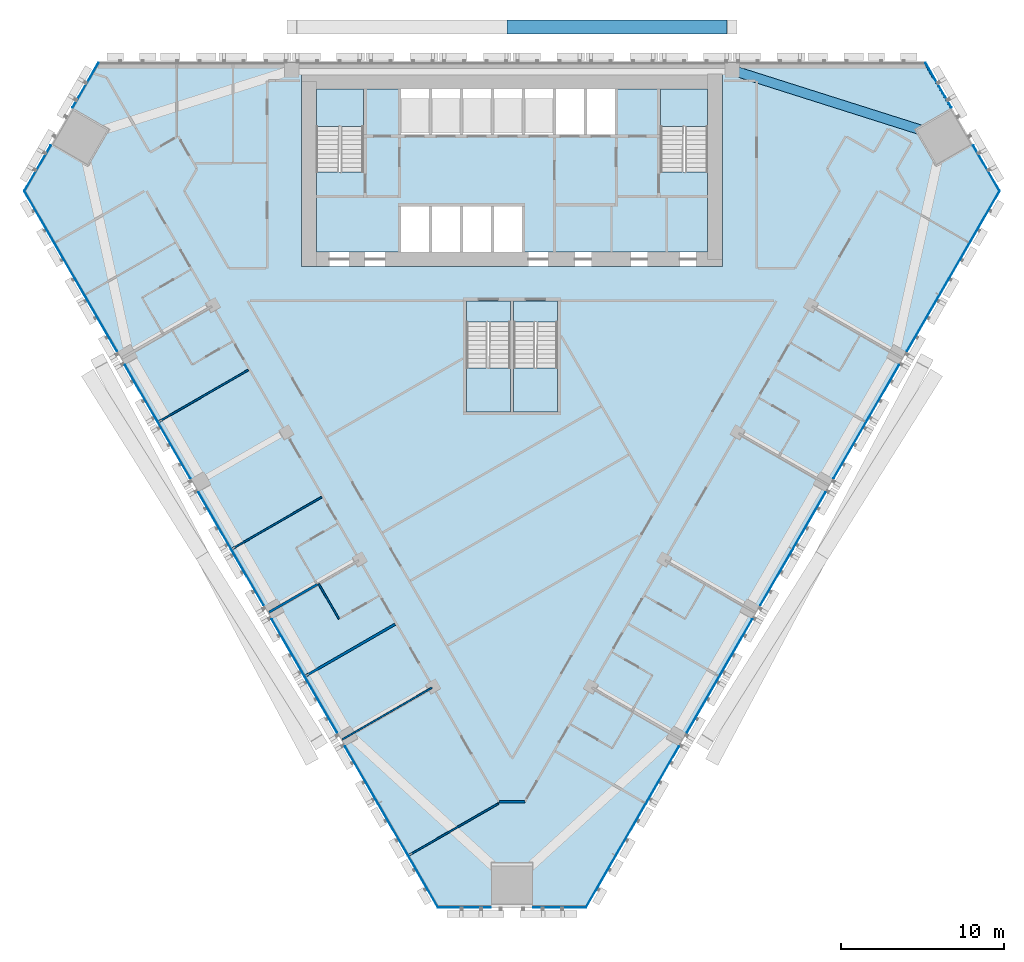
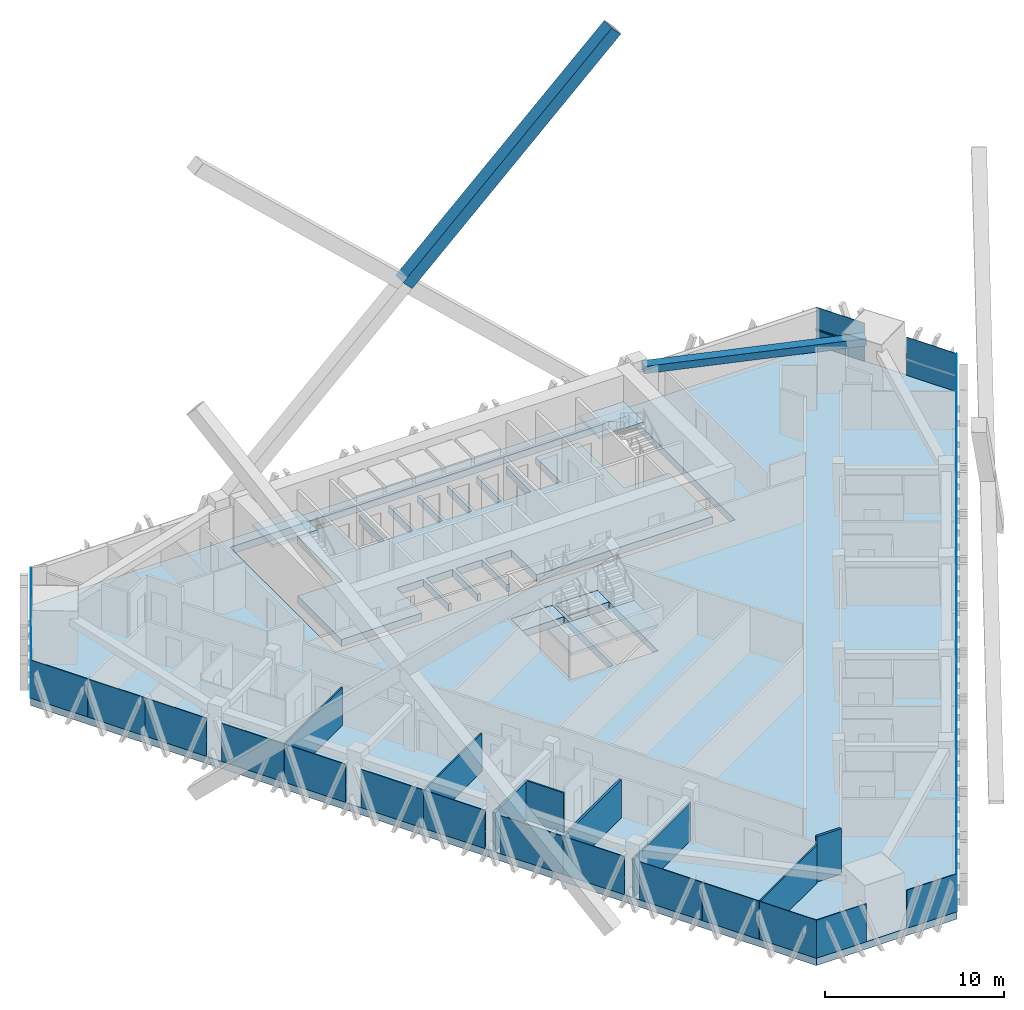
# One storey, part 11 of 19: 30 plates, 8 slabs, 8 walls, 2 members, 1 beam, 9 elements without a shape of their own.
"""IFC4 building model written with IfcOpenShell, lengths in metres."""

from ifc_helpers import new_model, si_unit, direction, frame, frame_2d, origin, origin_2d, place, context, subcontext, project, spatial, polyline, rectangle, hollow_rectangle, outline, extrude, material, layer, layer_set, material_profile, profile_set, type_object, element, aggregate, save


model = new_model("IFC4")

# Units and contexts
model_context = context("Model", 3, precision=1e-05, world=origin(), true_north=direction((0.0, 1.0)))
body_context = subcontext(model_context, "Body", "Model", "MODEL_VIEW")
ifc_project = project(units=[si_unit("LENGTHUNIT", "METRE"), si_unit("AREAUNIT", "SQUARE_METRE"), si_unit("VOLUMEUNIT", "CUBIC_METRE"), si_unit("PLANEANGLEUNIT", "RADIAN"), si_unit("MASSUNIT", "GRAM", prefix="KILO")], contexts=[model_context])

# Site, building, storey
site_placement = place(None, origin())
site = spatial("IfcSite", under=ifc_project, at=site_placement, CompositionType="ELEMENT")
building_placement = place(site_placement, origin())
building = spatial("IfcBuilding", under=site, at=building_placement, Name="Altiplano Prism Tower", CompositionType="ELEMENT")
storey_placement = place(building_placement, frame((0.0, 0.0, 70.199951171875)))
storey = spatial("IfcBuildingStorey", under=building, at=storey_placement, Name="L17", CompositionType="ELEMENT", Elevation=70.199951171875)

# Curtain wall, member
ifc_material_1 = material(Name="Aluminium and glass", Category="aluminium")
ifc_layer_1 = layer(ifc_material_1, 0.280029296875)
ifc_layer_set_1 = layer_set([ifc_layer_1], Name="Aluminium and glass")
curtain_wall_type = type_object("IfcCurtainWallType", Name="CW1 typical co-living unitised curtain wall", PredefinedType="NOTDEFINED", material=ifc_layer_set_1)
curtain_wall_1_placement = place(storey_placement, origin())
curtain_wall_1 = element("IfcCurtainWall", 1, at=curtain_wall_1_placement, inside=storey, type_object=curtain_wall_type, Name="CW1 curtain wall north-east chamfer L17", PredefinedType="NOTDEFINED")
ifc_material_2 = material(Name="Aluminium", Category="aluminium")
ifc_material_profile_1 = material_profile(ifc_material_2, rectangle(XDim=0.06005859375, YDim=0.080078125, at=origin_2d()), Name="CW1 transom 80 x 60")
ifc_profile_set_1 = profile_set([ifc_material_profile_1], Name="Aluminium")
member_type_1 = type_object("IfcMemberType", Name="CW1 transom 80 x 60", PredefinedType="USERDEFINED", material=ifc_profile_set_1)
member_1_placement = place(storey_placement, frame((111.8955078125, 102.22998046875, 1.10009765625), z_axis=(-0.499996807431, 0.866027247007, 0.0), x_axis=(-0.866027247007, -0.499996807431, 0.0)))
member_1 = element("IfcMember", 2, at=member_1_placement, type_object=member_type_1, Name="CW1 transom", ObjectType="TRANSOM", PredefinedType="USERDEFINED", context=body_context, shape_type="SweptSolid", body=[
    extrude(rectangle(XDim=0.06005859375, YDim=0.080078125, at=origin_2d()), origin(), (0.0, 0.0, 1.0), 3.158203125),
])

# Beam
ifc_material_3 = material(Name="Concrete C60/75", Category="concrete")
ifc_material_profile_2 = material_profile(ifc_material_3, rectangle(XDim=0.60009765625, YDim=0.5, at=origin_2d()), Name="Edge beam 600x500")
ifc_profile_set_2 = profile_set([ifc_material_profile_2], Name="Concrete C60/75")
beam_type = type_object("IfcBeamType", Name="Edge beam 600x500", PredefinedType="SPANDREL", material=ifc_profile_set_2)
beam_placement = place(storey_placement, frame((110.989013671875, 100.589111328125, 2.85009765625), z_axis=(-0.953208029555, 0.30231515409, 0.0), x_axis=(-0.30231515409, -0.953208029555, 0.0)))
element("IfcBeam", 3, at=beam_placement, inside=storey, type_object=beam_type, Name="Edge beam M2-P01 L18", PredefinedType="SPANDREL", context=body_context, shape_type="SweptSolid", body=[
    extrude(rectangle(XDim=0.60009765625, YDim=0.5, at=origin_2d()), origin(), (0.0, 0.0, 1.0), 12.75),
])

# Member
ifc_material_4 = material(Name="Steel S355", Category="steel")
ifc_material_profile_3 = material_profile(ifc_material_4, hollow_rectangle(XDim=0.85009765625, YDim=0.85009765625, WallThickness=0.0400390625, at=origin_2d()), Name="Mega brace Box 850x850x40")
ifc_profile_set_3 = profile_set([ifc_material_profile_3], Name="Steel S355")
member_type_2 = type_object("IfcMemberType", Name="Mega brace Box 850x850x40", PredefinedType="BRACE", material=ifc_profile_set_3)
member_2_placement = place(storey_placement, frame((85.0, 107.199951171875, 11.85009765625), z_axis=(0.728360025, 0.0, 0.685194624892), x_axis=(0.0, 1.0, 0.0)))
element("IfcMember", 4, at=member_2_placement, inside=storey, type_object=member_type_2, Name="Mega brace 2.0.4", PredefinedType="BRACE", context=body_context, shape_type="SweptSolid", body=[
    extrude(hollow_rectangle(XDim=0.85009765625, YDim=0.85009765625, WallThickness=0.0400390625, at=origin_2d()), origin(), (0.0, 0.0, 1.0), 18.494873046875),
])

# Curtain wall, plates
curtain_wall_2_placement = place(storey_placement, origin())
curtain_wall_2 = element("IfcCurtainWall", 5, at=curtain_wall_2_placement, inside=storey, type_object=curtain_wall_type, Name="CW1 curtain wall north-west chamfer L17", PredefinedType="NOTDEFINED")
ifc_material_5 = material(Name="Clear glass", Category="glass")
ifc_layer_2 = layer(ifc_material_5, 0.0400390625)
ifc_layer_set_2 = layer_set([ifc_layer_2], Name="Clear glass")
plate_type = type_object("IfcPlateType", Name="CW1 insulated glass unit 40", PredefinedType="CURTAIN_PANEL", material=ifc_layer_set_2)
plate_1_placement = place(storey_placement, frame((58.850830078125, 103.62255859375, 0.0), z_axis=(0.0, 0.0, 1.0), x_axis=(-0.500000015931, -0.866025394587, 0.0)))
plate_1 = element("IfcPlate", 6, at=plate_1_placement, type_object=plate_type, Name="CW1 panel", PredefinedType="CURTAIN_PANEL", context=body_context, shape_type="SweptSolid", body=[
    extrude(rectangle(XDim=3.148193359375, YDim=0.0400390625, at=origin_2d()), origin(), (0.0, 0.0, 1.0), 2.60009765625),
])
plate_2_placement = place(storey_placement, frame((55.91162109375, 98.53173828125, 0.0), z_axis=(0.0, 0.0, 1.0), x_axis=(-0.500000015931, -0.866025394587, 0.0)))
plate_2 = element("IfcPlate", 7, at=plate_2_placement, type_object=plate_type, Name="CW1 panel", PredefinedType="CURTAIN_PANEL", context=body_context, shape_type="SweptSolid", body=[
    extrude(rectangle(XDim=3.228271484375, YDim=0.0400390625, at=origin_2d()), origin(), (0.0, 0.0, 1.0), 2.60009765625),
])
aggregate(curtain_wall_2, [plate_1, plate_2])

curtain_wall_3_placement = place(storey_placement, origin())
curtain_wall_3 = element("IfcCurtainWall", 8, at=curtain_wall_3_placement, inside=storey, type_object=curtain_wall_type, Name="CW1 curtain wall south-west face L17", PredefinedType="NOTDEFINED")
plate_3_placement = place(storey_placement, frame((56.0244140625, 95.552490234375, 0.0), z_axis=(0.0, 0.0, 1.0), x_axis=(0.500000001134, -0.86602540313, 0.0)))
plate_3 = element("IfcPlate", 9, at=plate_3_placement, type_object=plate_type, Name="CW1 panel", PredefinedType="CURTAIN_PANEL", context=body_context, shape_type="SweptSolid", body=[
    extrude(rectangle(XDim=3.678466796875, YDim=0.0400390625, at=origin_2d()), origin(), (0.0, 0.0, 1.0), 2.60009765625),
])
plate_4_placement = place(storey_placement, frame((57.86865234375, 92.358154296875, 0.0), z_axis=(0.0, 0.0, 1.0), x_axis=(0.500000001134, -0.86602540313, 0.0)))
plate_4 = element("IfcPlate", 10, at=plate_4_placement, type_object=plate_type, Name="CW1 panel", PredefinedType="CURTAIN_PANEL", context=body_context, shape_type="SweptSolid", body=[
    extrude(rectangle(XDim=3.678466796875, YDim=0.0400390625, at=origin_2d()), origin(), (0.0, 0.0, 1.0), 2.60009765625),
])
plate_5_placement = place(storey_placement, frame((59.783203125, 89.041748046875, 0.0), z_axis=(0.0, 0.0, 1.0), x_axis=(0.500000001134, -0.86602540313, 0.0)))
plate_5 = element("IfcPlate", 11, at=plate_5_placement, type_object=plate_type, Name="CW1 panel", PredefinedType="CURTAIN_PANEL", context=body_context, shape_type="SweptSolid", body=[
    extrude(rectangle(XDim=3.96044921875, YDim=0.0400390625, at=origin_2d()), origin(), (0.0, 0.0, 1.0), 2.60009765625),
])
plate_6_placement = place(storey_placement, frame((62.2783203125, 84.72021484375, 0.0), z_axis=(0.0, 0.0, 1.0), x_axis=(0.500000001134, -0.86602540313, 0.0)))
plate_6 = element("IfcPlate", 12, at=plate_6_placement, type_object=plate_type, Name="CW1 panel", PredefinedType="CURTAIN_PANEL", context=body_context, shape_type="SweptSolid", body=[
    extrude(rectangle(XDim=4.039306640625, YDim=0.0400390625, at=origin_2d()), origin(), (0.0, 0.0, 1.0), 2.60009765625),
])
plate_7_placement = place(storey_placement, frame((64.283203125, 81.24755859375, 0.0), z_axis=(0.0, 0.0, 1.0), x_axis=(0.500000001134, -0.86602540313, 0.0)))
plate_7 = element("IfcPlate", 13, at=plate_7_placement, type_object=plate_type, Name="CW1 panel", PredefinedType="CURTAIN_PANEL", context=body_context, shape_type="SweptSolid", body=[
    extrude(rectangle(XDim=3.96044921875, YDim=0.0400390625, at=origin_2d()), origin(), (0.0, 0.0, 1.0), 2.60009765625),
])
plate_8_placement = place(storey_placement, frame((66.7783203125, 76.926025390625, 0.0), z_axis=(0.0, 0.0, 1.0), x_axis=(0.500000001134, -0.86602540313, 0.0)))
plate_8 = element("IfcPlate", 14, at=plate_8_placement, type_object=plate_type, Name="CW1 panel", PredefinedType="CURTAIN_PANEL", context=body_context, shape_type="SweptSolid", body=[
    extrude(rectangle(XDim=4.039306640625, YDim=0.0400390625, at=origin_2d()), origin(), (0.0, 0.0, 1.0), 2.60009765625),
])
plate_9_placement = place(storey_placement, frame((68.783203125, 73.453369140625, 0.0), z_axis=(0.0, 0.0, 1.0), x_axis=(0.500000001134, -0.86602540313, 0.0)))
plate_9 = element("IfcPlate", 15, at=plate_9_placement, type_object=plate_type, Name="CW1 panel", PredefinedType="CURTAIN_PANEL", context=body_context, shape_type="SweptSolid", body=[
    extrude(rectangle(XDim=3.96044921875, YDim=0.0400390625, at=origin_2d()), origin(), (0.0, 0.0, 1.0), 2.60009765625),
])
plate_10_placement = place(storey_placement, frame((71.2783203125, 69.1318359375, 0.0), z_axis=(0.0, 0.0, 1.0), x_axis=(0.500000001134, -0.86602540313, 0.0)))
plate_10 = element("IfcPlate", 16, at=plate_10_placement, type_object=plate_type, Name="CW1 panel", PredefinedType="CURTAIN_PANEL", context=body_context, shape_type="SweptSolid", body=[
    extrude(rectangle(XDim=4.039306640625, YDim=0.0400390625, at=origin_2d()), origin(), (0.0, 0.0, 1.0), 2.60009765625),
])
plate_11_placement = place(storey_placement, frame((73.283203125, 65.658935546875, 0.0), z_axis=(0.0, 0.0, 1.0), x_axis=(0.500000001134, -0.86602540313, 0.0)))
plate_11 = element("IfcPlate", 17, at=plate_11_placement, type_object=plate_type, Name="CW1 panel", PredefinedType="CURTAIN_PANEL", context=body_context, shape_type="SweptSolid", body=[
    extrude(rectangle(XDim=3.96044921875, YDim=0.0400390625, at=origin_2d()), origin(), (0.0, 0.0, 1.0), 2.60009765625),
])
plate_12_placement = place(storey_placement, frame((75.7783203125, 61.33740234375, 0.0), z_axis=(0.0, 0.0, 1.0), x_axis=(0.500000001134, -0.86602540313, 0.0)))
plate_12 = element("IfcPlate", 18, at=plate_12_placement, type_object=plate_type, Name="CW1 panel", PredefinedType="CURTAIN_PANEL", context=body_context, shape_type="SweptSolid", body=[
    extrude(rectangle(XDim=4.039306640625, YDim=0.0400390625, at=origin_2d()), origin(), (0.0, 0.0, 1.0), 2.60009765625),
])
plate_13_placement = place(storey_placement, frame((77.712890625, 57.98681640625, 0.0), z_axis=(0.0, 0.0, 1.0), x_axis=(0.500000001134, -0.86602540313, 0.0)))
plate_13 = element("IfcPlate", 19, at=plate_13_placement, type_object=plate_type, Name="CW1 panel", PredefinedType="CURTAIN_PANEL", context=body_context, shape_type="SweptSolid", body=[
    extrude(rectangle(XDim=3.678466796875, YDim=0.0400390625, at=origin_2d()), origin(), (0.0, 0.0, 1.0), 2.60009765625),
])
plate_14_placement = place(storey_placement, frame((79.55712890625, 54.792724609375, 0.0), z_axis=(0.0, 0.0, 1.0), x_axis=(0.500000001134, -0.86602540313, 0.0)))
plate_14 = element("IfcPlate", 20, at=plate_14_placement, type_object=plate_type, Name="CW1 panel", PredefinedType="CURTAIN_PANEL", context=body_context, shape_type="SweptSolid", body=[
    extrude(rectangle(XDim=3.678466796875, YDim=0.0400390625, at=origin_2d()), origin(), (0.0, 0.0, 1.0), 2.60009765625),
])
aggregate(curtain_wall_3, [plate_3, plate_4, plate_5, plate_6, plate_7, plate_8, plate_9, plate_10, plate_11, plate_12, plate_13, plate_14])

curtain_wall_4_placement = place(storey_placement, origin())
curtain_wall_4 = element("IfcCurtainWall", 21, at=curtain_wall_4_placement, inside=storey, type_object=curtain_wall_type, Name="CW1 curtain wall south chamfer L17", PredefinedType="NOTDEFINED")
plate_15_placement = place(storey_placement, frame((82.080810546875, 53.20556640625, 0.0), z_axis=(0.0, 0.0, 1.0), x_axis=(1.0, 0.0, 0.0)))
plate_15 = element("IfcPlate", 22, at=plate_15_placement, type_object=plate_type, Name="CW1 panel", PredefinedType="CURTAIN_PANEL", context=body_context, shape_type="SweptSolid", body=[
    extrude(rectangle(XDim=3.228271484375, YDim=0.0400390625, at=origin_2d()), origin(), (0.0, 0.0, 1.0), 2.60009765625),
])
plate_16_placement = place(storey_placement, frame((87.919189453125, 53.20556640625, 0.0), z_axis=(0.0, 0.0, 1.0), x_axis=(1.0, 0.0, 0.0)))
plate_16 = element("IfcPlate", 23, at=plate_16_placement, type_object=plate_type, Name="CW1 panel", PredefinedType="CURTAIN_PANEL", context=body_context, shape_type="SweptSolid", body=[
    extrude(rectangle(XDim=3.228271484375, YDim=0.0400390625, at=origin_2d()), origin(), (0.0, 0.0, 1.0), 2.60009765625),
])
aggregate(curtain_wall_4, [plate_15, plate_16])

curtain_wall_5_placement = place(storey_placement, origin())
curtain_wall_5 = element("IfcCurtainWall", 24, at=curtain_wall_5_placement, inside=storey, type_object=curtain_wall_type, Name="CW1 curtain wall south-east face L17", PredefinedType="NOTDEFINED")
plate_17_placement = place(storey_placement, frame((90.44287109375, 54.792724609375, 0.0), z_axis=(0.0, 0.0, 1.0), x_axis=(0.500000001134, 0.86602540313, 0.0)))
plate_17 = element("IfcPlate", 25, at=plate_17_placement, type_object=plate_type, Name="CW1 panel", PredefinedType="CURTAIN_PANEL", context=body_context, shape_type="SweptSolid", body=[
    extrude(rectangle(XDim=3.678466796875, YDim=0.0400390625, at=origin_2d()), origin(), (0.0, 0.0, 1.0), 2.60009765625),
])
plate_18_placement = place(storey_placement, frame((92.287109375, 57.98681640625, 0.0), z_axis=(0.0, 0.0, 1.0), x_axis=(0.500000001134, 0.86602540313, 0.0)))
plate_18 = element("IfcPlate", 26, at=plate_18_placement, type_object=plate_type, Name="CW1 panel", PredefinedType="CURTAIN_PANEL", context=body_context, shape_type="SweptSolid", body=[
    extrude(rectangle(XDim=3.678466796875, YDim=0.0400390625, at=origin_2d()), origin(), (0.0, 0.0, 1.0), 2.60009765625),
])
plate_19_placement = place(storey_placement, frame((94.2216796875, 61.33740234375, 0.0), z_axis=(0.0, 0.0, 1.0), x_axis=(0.500000001134, 0.86602540313, 0.0)))
plate_19 = element("IfcPlate", 27, at=plate_19_placement, type_object=plate_type, Name="CW1 panel", PredefinedType="CURTAIN_PANEL", context=body_context, shape_type="SweptSolid", body=[
    extrude(rectangle(XDim=4.039306640625, YDim=0.0400390625, at=origin_2d()), origin(), (0.0, 0.0, 1.0), 2.60009765625),
])
plate_20_placement = place(storey_placement, frame((96.716796875, 65.658935546875, 0.0), z_axis=(0.0, 0.0, 1.0), x_axis=(0.500000001134, 0.86602540313, 0.0)))
plate_20 = element("IfcPlate", 28, at=plate_20_placement, type_object=plate_type, Name="CW1 panel", PredefinedType="CURTAIN_PANEL", context=body_context, shape_type="SweptSolid", body=[
    extrude(rectangle(XDim=3.96044921875, YDim=0.0400390625, at=origin_2d()), origin(), (0.0, 0.0, 1.0), 2.60009765625),
])
plate_21_placement = place(storey_placement, frame((98.7216796875, 69.1318359375, 0.0), z_axis=(0.0, 0.0, 1.0), x_axis=(0.500000001134, 0.86602540313, 0.0)))
plate_21 = element("IfcPlate", 29, at=plate_21_placement, type_object=plate_type, Name="CW1 panel", PredefinedType="CURTAIN_PANEL", context=body_context, shape_type="SweptSolid", body=[
    extrude(rectangle(XDim=4.039306640625, YDim=0.0400390625, at=origin_2d()), origin(), (0.0, 0.0, 1.0), 2.60009765625),
])
plate_22_placement = place(storey_placement, frame((101.216796875, 73.453369140625, 0.0), z_axis=(0.0, 0.0, 1.0), x_axis=(0.500000001134, 0.86602540313, 0.0)))
plate_22 = element("IfcPlate", 30, at=plate_22_placement, type_object=plate_type, Name="CW1 panel", PredefinedType="CURTAIN_PANEL", context=body_context, shape_type="SweptSolid", body=[
    extrude(rectangle(XDim=3.96044921875, YDim=0.0400390625, at=origin_2d()), origin(), (0.0, 0.0, 1.0), 2.60009765625),
])
plate_23_placement = place(storey_placement, frame((103.2216796875, 76.926025390625, 0.0), z_axis=(0.0, 0.0, 1.0), x_axis=(0.500000001134, 0.86602540313, 0.0)))
plate_23 = element("IfcPlate", 31, at=plate_23_placement, type_object=plate_type, Name="CW1 panel", PredefinedType="CURTAIN_PANEL", context=body_context, shape_type="SweptSolid", body=[
    extrude(rectangle(XDim=4.039306640625, YDim=0.0400390625, at=origin_2d()), origin(), (0.0, 0.0, 1.0), 2.60009765625),
])
plate_24_placement = place(storey_placement, frame((105.716796875, 81.24755859375, 0.0), z_axis=(0.0, 0.0, 1.0), x_axis=(0.500000001134, 0.86602540313, 0.0)))
plate_24 = element("IfcPlate", 32, at=plate_24_placement, type_object=plate_type, Name="CW1 panel", PredefinedType="CURTAIN_PANEL", context=body_context, shape_type="SweptSolid", body=[
    extrude(rectangle(XDim=3.96044921875, YDim=0.0400390625, at=origin_2d()), origin(), (0.0, 0.0, 1.0), 2.60009765625),
])
plate_25_placement = place(storey_placement, frame((107.7216796875, 84.72021484375, 0.0), z_axis=(0.0, 0.0, 1.0), x_axis=(0.500000001134, 0.86602540313, 0.0)))
plate_25 = element("IfcPlate", 33, at=plate_25_placement, type_object=plate_type, Name="CW1 panel", PredefinedType="CURTAIN_PANEL", context=body_context, shape_type="SweptSolid", body=[
    extrude(rectangle(XDim=4.039306640625, YDim=0.0400390625, at=origin_2d()), origin(), (0.0, 0.0, 1.0), 2.60009765625),
])
plate_26_placement = place(storey_placement, frame((110.216796875, 89.041748046875, 0.0), z_axis=(0.0, 0.0, 1.0), x_axis=(0.500000001134, 0.86602540313, 0.0)))
plate_26 = element("IfcPlate", 34, at=plate_26_placement, type_object=plate_type, Name="CW1 panel", PredefinedType="CURTAIN_PANEL", context=body_context, shape_type="SweptSolid", body=[
    extrude(rectangle(XDim=3.96044921875, YDim=0.0400390625, at=origin_2d()), origin(), (0.0, 0.0, 1.0), 2.60009765625),
])
plate_27_placement = place(storey_placement, frame((112.13134765625, 92.358154296875, 0.0), z_axis=(0.0, 0.0, 1.0), x_axis=(0.500000001134, 0.86602540313, 0.0)))
plate_27 = element("IfcPlate", 35, at=plate_27_placement, type_object=plate_type, Name="CW1 panel", PredefinedType="CURTAIN_PANEL", context=body_context, shape_type="SweptSolid", body=[
    extrude(rectangle(XDim=3.678466796875, YDim=0.0400390625, at=origin_2d()), origin(), (0.0, 0.0, 1.0), 2.60009765625),
])
plate_28_placement = place(storey_placement, frame((113.9755859375, 95.552490234375, 0.0), z_axis=(0.0, 0.0, 1.0), x_axis=(0.500000001134, 0.86602540313, 0.0)))
plate_28 = element("IfcPlate", 36, at=plate_28_placement, type_object=plate_type, Name="CW1 panel", PredefinedType="CURTAIN_PANEL", context=body_context, shape_type="SweptSolid", body=[
    extrude(rectangle(XDim=3.678466796875, YDim=0.0400390625, at=origin_2d()), origin(), (0.0, 0.0, 1.0), 2.60009765625),
])
aggregate(curtain_wall_5, [plate_17, plate_18, plate_19, plate_20, plate_21, plate_22, plate_23, plate_24, plate_25, plate_26, plate_27, plate_28])

# Plate
plate_29_placement = place(storey_placement, frame((114.08837890625, 98.53173828125, 0.0), z_axis=(0.0, 0.0, 1.0), x_axis=(-0.500000015931, 0.866025394587, 0.0)))
plate_29 = element("IfcPlate", 37, at=plate_29_placement, type_object=plate_type, Name="CW1 panel", PredefinedType="CURTAIN_PANEL", context=body_context, shape_type="SweptSolid", body=[
    extrude(rectangle(XDim=3.228271484375, YDim=0.0400390625, at=origin_2d()), origin(), (0.0, 0.0, 1.0), 2.60009765625),
])

plate_30_placement = place(storey_placement, frame((111.149169921875, 103.62255859375, 0.0), z_axis=(0.0, 0.0, 1.0), x_axis=(-0.500000015931, 0.866025394587, 0.0)))
plate_30 = element("IfcPlate", 38, at=plate_30_placement, type_object=plate_type, Name="CW1 panel", PredefinedType="CURTAIN_PANEL", context=body_context, shape_type="SweptSolid", body=[
    extrude(rectangle(XDim=3.148193359375, YDim=0.0400390625, at=origin_2d()), origin(), (0.0, 0.0, 1.0), 2.60009765625),
])

aggregate(curtain_wall_1, [plate_29, member_1, plate_30])

# Slabs
ifc_material_6 = material(Name="Concrete C40/50", Category="concrete")
ifc_layer_3 = layer(ifc_material_6, 0.5)
ifc_layer_set_3 = layer_set([ifc_layer_3], Name="Concrete C40/50")
slab_type_1 = type_object("IfcSlabType", Name="Core floor slab 500", PredefinedType="FLOOR", material=ifc_layer_set_3)
slab_1_placement = place(storey_placement, frame((0.0, 0.0, -0.5)))
element("IfcSlab", 39, at=slab_1_placement, inside=storey, type_object=slab_type_1, Name="Core floor slab L17", PredefinedType="FLOOR", context=body_context, shape_type="SweptSolid", body=[
    extrude(outline(polyline([(97.0, 98.31005859375), (94.10009765625, 98.31005859375), (94.10009765625, 103.39990234375), (91.300048828125, 103.39990234375), (91.300048828125, 100.60009765625), (89.60009765625, 100.60009765625), (89.60009765625, 103.39990234375), (89.39990234375, 103.39990234375), (89.39990234375, 100.60009765625), (87.699951171875, 100.60009765625), (87.699951171875, 103.39990234375), (87.5, 103.39990234375), (87.5, 100.60009765625), (85.800048828125, 100.60009765625), (85.800048828125, 103.39990234375), (85.60009765625, 103.39990234375), (85.60009765625, 100.60009765625), (83.89990234375, 100.60009765625), (83.89990234375, 103.39990234375), (83.699951171875, 103.39990234375), (83.699951171875, 100.60009765625), (82.0, 100.60009765625), (82.0, 103.39990234375), (81.800048828125, 103.39990234375), (81.800048828125, 100.60009765625), (80.10009765625, 100.60009765625), (80.10009765625, 103.39990234375), (79.89990234375, 103.39990234375), (79.89990234375, 100.60009765625), (78.199951171875, 100.60009765625), (78.199951171875, 103.39990234375), (75.89990234375, 103.39990234375), (75.89990234375, 98.31005859375), (73.0, 98.31005859375), (73.0, 93.39990234375), (78.199951171875, 93.39990234375), (78.199951171875, 96.199951171875), (79.89990234375, 96.199951171875), (79.89990234375, 93.39990234375), (80.10009765625, 93.39990234375), (80.10009765625, 96.199951171875), (81.800048828125, 96.199951171875), (81.800048828125, 93.39990234375), (82.0, 93.39990234375), (82.0, 96.199951171875), (83.699951171875, 96.199951171875), (83.699951171875, 93.39990234375), (83.89990234375, 93.39990234375), (83.89990234375, 96.199951171875), (85.60009765625, 96.199951171875), (85.60009765625, 93.39990234375), (97.0, 93.39990234375), (97.0, 98.31005859375)])), origin(), (0.0, 0.0, 1.0), 0.5),
])
slab_2_placement = place(storey_placement, frame((0.0, 0.0, -0.5)))
element("IfcSlab", 40, at=slab_2_placement, inside=storey, type_object=slab_type_1, Name="Stair 3A landing slab L17", PredefinedType="FLOOR", context=body_context, shape_type="SweptSolid", body=[
    extrude(outline(polyline([(82.199951171875, 89.096923828125), (84.89990234375, 89.096923828125), (84.89990234375, 90.39990234375), (82.199951171875, 90.39990234375), (82.199951171875, 89.096923828125)])), origin(), (0.0, 0.0, 1.0), 0.5),
])
slab_3_placement = place(storey_placement, frame((0.0, 0.0, -0.5)))
element("IfcSlab", 41, at=slab_3_placement, inside=storey, type_object=slab_type_1, Name="Stair 3B landing slab L17", PredefinedType="FLOOR", context=body_context, shape_type="SweptSolid", body=[
    extrude(outline(polyline([(85.10009765625, 89.096923828125), (87.800048828125, 89.096923828125), (87.800048828125, 90.39990234375), (85.10009765625, 90.39990234375), (85.10009765625, 89.096923828125)])), origin(), (0.0, 0.0, 1.0), 0.5),
])
ifc_layer_4 = layer(ifc_material_6, 0.5)
ifc_layer_set_4 = layer_set([ifc_layer_4], Name="Concrete C40/50")
slab_type_2 = type_object("IfcSlabType", Name="Post-tensioned flat slab 500", PredefinedType="FLOOR", material=ifc_layer_set_4)
slab_4_placement = place(storey_placement, frame((0.0, 0.0, -0.5)))
element("IfcSlab", 42, at=slab_4_placement, inside=storey, type_object=slab_type_2, Name="Floor slab L17", PredefinedType="FLOOR", context=body_context, shape_type="SweptSolid", body=[
    extrude(outline(polyline([(80.4619140625, 53.185546875), (55.0849609375, 97.1396484375), (59.623046875, 105.0), (110.376953125, 105.0), (114.9150390625, 97.1396484375), (89.5380859375, 53.185546875), (80.4619140625, 53.185546875)]), holes=[polyline([(72.10009765625, 104.300048828125), (72.10009765625, 92.5), (97.89990234375, 92.5), (97.89990234375, 104.300048828125), (72.10009765625, 104.300048828125)]), polyline([(84.89990234375, 90.39990234375), (82.199951171875, 90.39990234375), (82.199951171875, 83.60009765625), (84.89990234375, 83.60009765625), (84.89990234375, 90.39990234375)]), polyline([(87.800048828125, 83.60009765625), (87.800048828125, 90.39990234375), (85.10009765625, 90.39990234375), (85.10009765625, 83.60009765625), (87.800048828125, 83.60009765625)])]), origin(), (0.0, 0.0, 1.0), 0.5),
])

# Stair, slab
stair_type_1 = type_object("IfcStairType", Name="Exit stair 1400", PredefinedType="HALF_TURN_STAIR", material=ifc_material_6)
stair_1_placement = place(storey_placement, origin())
stair_1 = element("IfcStair", 43, at=stair_1_placement, inside=storey, type_object=stair_type_1, Name="L17 Exit Stair 1", PredefinedType="HALF_TURN_STAIR")
ifc_layer_5 = layer(ifc_material_6, 0.199951171875)
ifc_layer_set_5 = layer_set([ifc_layer_5], Name="Concrete C40/50")
slab_type_3 = type_object("IfcSlabType", Name="Stair landing 200", PredefinedType="LANDING", material=ifc_layer_set_5)
slab_5_placement = place(storey_placement, frame((0.0, 0.0, 1.60009765625)))
slab_5 = element("IfcSlab", 44, at=slab_5_placement, type_object=slab_type_3, Name="ST1 landing 1", PredefinedType="LANDING", context=body_context, shape_type="SweptSolid", body=[
    extrude(outline(polyline([(75.89990234375, 101.096923828125), (75.89990234375, 103.39990234375), (73.0, 103.39990234375), (73.0, 101.096923828125), (75.89990234375, 101.096923828125)])), origin(), (0.0, 0.0, 1.0), 0.199951171875),
])
aggregate(stair_1, [slab_5])

stair_2_placement = place(storey_placement, origin())
stair_2 = element("IfcStair", 45, at=stair_2_placement, inside=storey, type_object=stair_type_1, Name="L17 Exit Stair 2", PredefinedType="HALF_TURN_STAIR")
slab_6_placement = place(storey_placement, frame((0.0, 0.0, 1.60009765625)))
slab_6 = element("IfcSlab", 46, at=slab_6_placement, type_object=slab_type_3, Name="ST2 landing 1", PredefinedType="LANDING", context=body_context, shape_type="SweptSolid", body=[
    extrude(outline(polyline([(97.0, 101.096923828125), (97.0, 103.39990234375), (94.10009765625, 103.39990234375), (94.10009765625, 101.096923828125), (97.0, 101.096923828125)])), origin(), (0.0, 0.0, 1.0), 0.199951171875),
])
aggregate(stair_2, [slab_6])

stair_type_2 = type_object("IfcStairType", Name="Exit stair 1300", PredefinedType="HALF_TURN_STAIR", material=ifc_material_6)
stair_3_placement = place(storey_placement, origin())
stair_3 = element("IfcStair", 47, at=stair_3_placement, inside=storey, type_object=stair_type_2, Name="L17 Exit Stair 3A", PredefinedType="HALF_TURN_STAIR")
slab_7_placement = place(storey_placement, frame((0.0, 0.0, 1.60009765625)))
slab_7 = element("IfcSlab", 48, at=slab_7_placement, type_object=slab_type_3, Name="ST3A landing 1", PredefinedType="LANDING", context=body_context, shape_type="SweptSolid", body=[
    extrude(outline(polyline([(82.199951171875, 86.302978515625), (82.199951171875, 83.60009765625), (84.89990234375, 83.60009765625), (84.89990234375, 86.302978515625), (82.199951171875, 86.302978515625)])), origin(), (0.0, 0.0, 1.0), 0.199951171875),
])
aggregate(stair_3, [slab_7])

stair_4_placement = place(storey_placement, origin())
stair_4 = element("IfcStair", 49, at=stair_4_placement, inside=storey, type_object=stair_type_2, Name="L17 Exit Stair 3B", PredefinedType="HALF_TURN_STAIR")
slab_8_placement = place(storey_placement, frame((0.0, 0.0, 1.60009765625)))
slab_8 = element("IfcSlab", 50, at=slab_8_placement, type_object=slab_type_3, Name="ST3B landing 1", PredefinedType="LANDING", context=body_context, shape_type="SweptSolid", body=[
    extrude(outline(polyline([(85.10009765625, 86.302978515625), (85.10009765625, 83.60009765625), (87.800048828125, 83.60009765625), (87.800048828125, 86.302978515625), (85.10009765625, 86.302978515625)])), origin(), (0.0, 0.0, 1.0), 0.199951171875),
])
aggregate(stair_4, [slab_8])

# Walls
ifc_material_7 = material(Name="Plasterboard on steel stud", Category="steel")
ifc_layer_6 = layer(ifc_material_7, 0.10009765625)
ifc_layer_set_6 = layer_set([ifc_layer_6], Name="Plasterboard on steel stud")
wall_type_1 = type_object("IfcWallType", Name="Partition 100 unit", PredefinedType="PARTITIONING", material=ifc_layer_set_6)
wall_1_placement = place(storey_placement, frame((74.39111328125, 70.900390625, 0.0), z_axis=(0.0, 0.0, 1.0), x_axis=(-0.500004234368, 0.866022959057, 0.0)))
element("IfcWall", 51, at=wall_1_placement, inside=storey, type_object=wall_type_1, Name="Partition P02 L17 052", PredefinedType="PARTITIONING", context=body_context, shape_type="SweptSolid", body=[
    extrude(rectangle(XDim=2.5, YDim=0.10009765625, at=frame_2d((1.25, 0.0))), origin(), (0.0, 0.0, 1.0), 2.699951171875),
])
ifc_layer_7 = layer(ifc_material_7, 0.10009765625)
ifc_layer_set_7 = layer_set([ifc_layer_7], Name="Plasterboard on steel stud")
wall_type_2 = type_object("IfcWallType", Name="Partition 100 wet", PredefinedType="PARTITIONING", material=ifc_layer_set_7)
for number, where, z_axis, x_axis, name in (
    (52, (63.342529296875, 82.99658203125, 0.0), (0.0, 0.0, 1.0), (0.866025401434, 0.500000004071, 0.0), "Partition P03 L17 045"),
    (53, (67.842529296875, 75.202392578125, 0.0), (0.0, 0.0, 1.0), (0.866025401434, 0.500000004071, 0.0), "Partition P03 L17 046"),
):
    element("IfcWall", number, at=place(storey_placement, frame(where, z_axis=z_axis, x_axis=x_axis)), inside=storey, type_object=wall_type_2, Name=name, PredefinedType="PARTITIONING", context=body_context, shape_type="SweptSolid", body=[
        extrude(rectangle(XDim=6.34521484375, YDim=0.10009765625, at=frame_2d((3.172607421875, 0.0))), origin(), (0.0, 0.0, 1.0), 2.60009765625),
    ])
wall_2_placement = place(storey_placement, frame((74.60986328125, 63.521240234375, 0.0), z_axis=(0.0, 0.0, 1.0), x_axis=(0.866042250622, 0.499970819286, 0.0)))
element("IfcWall", 54, at=wall_2_placement, inside=storey, type_object=wall_type_2, Name="Partition P03 L17 054", PredefinedType="PARTITIONING", context=body_context, shape_type="SweptSolid", body=[
    extrude(rectangle(XDim=6.3251953125, YDim=0.10009765625, at=frame_2d((3.16259765625, 0.0))), origin(), (0.0, 0.0, 1.0), 2.60009765625),
])
wall_3_placement = place(storey_placement, frame((78.686767578125, 56.419677734375, 0.0), z_axis=(0.0, 0.0, 1.0), x_axis=(0.866017388547, 0.500013882542, 0.0)))
element("IfcWall", 55, at=wall_3_placement, inside=storey, type_object=wall_type_2, Name="Partition P03 L17 055", PredefinedType="PARTITIONING", context=body_context, shape_type="SweptSolid", body=[
    extrude(rectangle(XDim=6.308837890625, YDim=0.10009765625, at=frame_2d((3.154296875, 0.0))), origin(), (0.0, 0.0, 1.0), 2.60009765625),
])
ifc_layer_8 = layer(ifc_material_7, 0.14990234375)
ifc_layer_set_8 = layer_set([ifc_layer_8], Name="Plasterboard on steel stud")
wall_type_3 = type_object("IfcWallType", Name="Partition 150 corridor", PredefinedType="PARTITIONING", material=ifc_layer_set_8)
wall_4_placement = place(storey_placement, frame((84.214599609375, 59.685546875, 0.0), z_axis=(0.0, 0.0, 1.0), x_axis=(1.0, 0.0, 0.0)))
element("IfcWall", 56, at=wall_4_placement, inside=storey, type_object=wall_type_3, Name="Partition P06 L17 011", PredefinedType="PARTITIONING", context=body_context, shape_type="SweptSolid", body=[
    extrude(rectangle(XDim=1.57080078125, YDim=0.14990234375, at=frame_2d((0.785400390625, 0.0))), origin(), (0.0, 0.0, 1.0), 3.10009765625),
])
ifc_layer_9 = layer(ifc_material_7, 0.14990234375)
ifc_layer_set_9 = layer_set([ifc_layer_9], Name="Plasterboard on steel stud")
wall_type_4 = type_object("IfcWallType", Name="Partition 150 party", PredefinedType="PARTITIONING", material=ifc_layer_set_9)
wall_5_placement = place(storey_placement, frame((70.10986328125, 71.3154296875, 0.0), z_axis=(0.0, 0.0, 1.0), x_axis=(0.866038183914, 0.499977863513, 0.0)))
element("IfcWall", 57, at=wall_5_placement, inside=storey, type_object=wall_type_4, Name="Partition P01 L17 049", PredefinedType="PARTITIONING", context=body_context, shape_type="SweptSolid", body=[
    extrude(rectangle(XDim=3.420166015625, YDim=0.14990234375, at=frame_2d((1.7099609375, 0.0))), origin(), (0.0, 0.0, 1.0), 2.60009765625),
])
wall_6_placement = place(storey_placement, frame((72.342529296875, 67.408203125, 0.0), z_axis=(0.0, 0.0, 1.0), x_axis=(0.866025401434, 0.500000004071, 0.0)))
element("IfcWall", 58, at=wall_6_placement, inside=storey, type_object=wall_type_4, Name="Partition P01 L17 053", PredefinedType="PARTITIONING", context=body_context, shape_type="SweptSolid", body=[
    extrude(rectangle(XDim=6.34521484375, YDim=0.14990234375, at=frame_2d((3.172607421875, 0.0))), origin(), (0.0, 0.0, 1.0), 2.60009765625),
])

save(model, "model.ifc")
